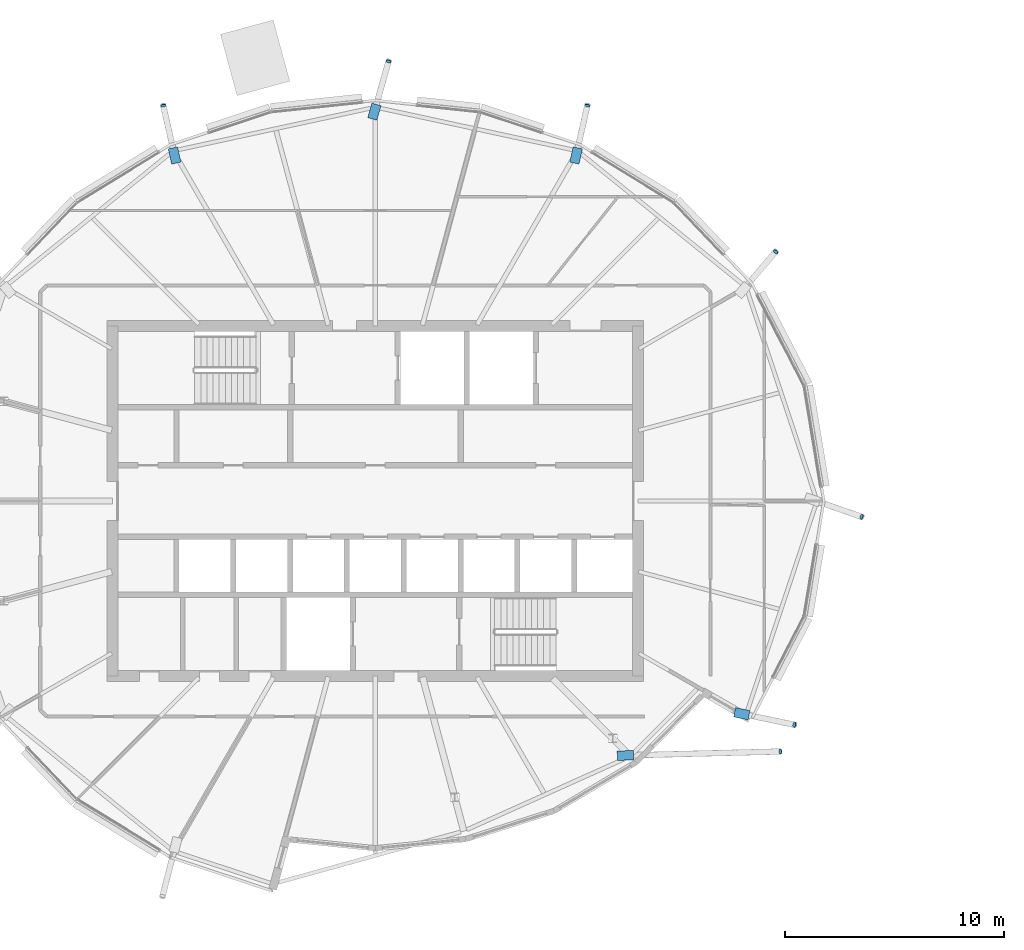
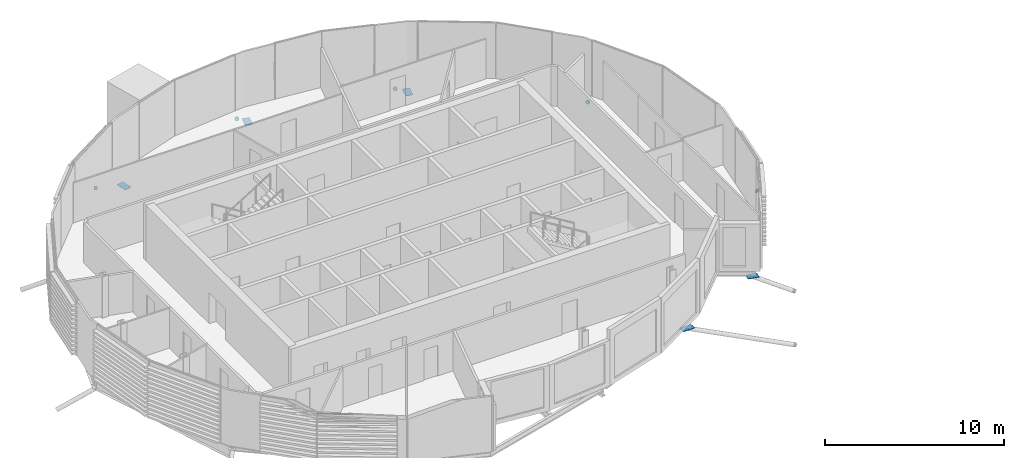
# One storey, part 24 of 33: 12 discrete accessories.
"""IFC4 building model written with IfcOpenShell, lengths in metres."""

from ifc_helpers import new_model, si_unit, direction, frame, origin, origin_2d, place, context, subcontext, project, spatial, polyline, rectangle, circle, outline, extrude, material, material_profile, profile_set, type_object, element, save


model = new_model("IFC4")

# Units and contexts
model_context = context("Model", 3, precision=1e-05, world=origin(), true_north=direction((0.0, 1.0)))
body_context = subcontext(model_context, "Body", "Model", "MODEL_VIEW")
ifc_project = project(units=[si_unit("LENGTHUNIT", "METRE"), si_unit("AREAUNIT", "SQUARE_METRE"), si_unit("VOLUMEUNIT", "CUBIC_METRE"), si_unit("PLANEANGLEUNIT", "RADIAN"), si_unit("MASSUNIT", "GRAM", prefix="KILO")], contexts=[model_context])

# Site, building, storey
site_placement = place(None, origin())
site = spatial("IfcSite", under=ifc_project, at=site_placement, CompositionType="ELEMENT")
building_placement = place(site_placement, origin())
building = spatial("IfcBuilding", under=site, at=building_placement, Name="Rimbun Link Towers", CompositionType="ELEMENT")
storey_placement = place(building_placement, frame((0.0, 0.0, 237.10009765625)))
storey = spatial("IfcBuildingStorey", under=building, at=storey_placement, Name="L58", CompositionType="ELEMENT", Elevation=237.10009765625)

# Discrete accessories
ifc_material_1 = material(Name="Steel S355J2H", Category="steel")
ifc_material_profile_1 = material_profile(ifc_material_1, circle(Radius=0.1240234375, at=origin_2d()), Name="PL D248")
ifc_profile_set_1 = profile_set([ifc_material_profile_1], Name="Steel S355J2H")
discrete_accessory_type_1 = type_object("IfcDiscreteAccessoryType", Name="Link foot sealing plate D248X20", PredefinedType="BRACKET", material=ifc_profile_set_1)
discrete_accessory_1_placement = place(storey_placement, frame((-9.547119140625, -0.720703125, -1.986328125), z_axis=(0.811604925794, -0.295129063925, -0.504178817538), x_axis=(0.341743063087, 0.939793423488, 0.0)))
element("IfcDiscreteAccessory", 1, at=discrete_accessory_1_placement, inside=storey, type_object=discrete_accessory_type_1, Name="Link foot sealing plate T1 L58 00", PredefinedType="BRACKET", context=body_context, shape_type="SweptSolid", body=[
    extrude(circle(Radius=0.1240234375, at=origin_2d()), origin(), (0.0, 0.0, 1.0), 0.019775390625),
])
for number, where, z_axis, x_axis, name in (
    (2, (-13.47607421875, 11.375, -1.890869140625), (0.54691291544, 0.644141878185, -0.534759295097), (-0.762294079169, 0.647230821936, 0.0), "Link foot sealing plate T1 L58 02"),
    (3, (-22.0673828125, 18.05126953125, -2.023193359375), (0.195500292296, 0.843095010527, -0.500969499009), (-0.974152703704, 0.225890482018, 0.0), "Link foot sealing plate T1 L58 04"),
):
    element("IfcDiscreteAccessory", number, at=place(storey_placement, frame(where, z_axis=z_axis, x_axis=x_axis)), inside=storey, type_object=discrete_accessory_type_1, Name=name, PredefinedType="BRACKET", context=body_context, shape_type="SweptSolid", body=[
        extrude(circle(Radius=0.1240234375, at=origin_2d()), origin(), (0.0, 0.0, 1.0), 0.02001953125),
    ])
discrete_accessory_2_placement = place(storey_placement, frame((-31.147216796875, 20.069580078125, -2.11669921875), z_axis=(0.233626178782, 0.823839683072, -0.516436816254), x_axis=(-0.962063932548, 0.272824100275, 0.0)))
element("IfcDiscreteAccessory", 4, at=discrete_accessory_2_placement, inside=storey, type_object=discrete_accessory_type_1, Name="Link foot sealing plate T1 L58 06", PredefinedType="BRACKET", context=body_context, shape_type="SweptSolid", body=[
    extrude(circle(Radius=0.1240234375, at=origin_2d()), origin(), (0.0, 0.0, 1.0), 0.019775390625),
])
for number, where, z_axis, x_axis, name in (
    (5, (-41.4326171875, 18.05126953125, -2.023193359375), (-0.195500292296, 0.843095010527, -0.500969499009), (-0.974152703704, -0.225890482018, 0.0), "Link foot sealing plate T1 L58 08"),
    (6, (-13.2587890625, -11.441650390625, -4.720703125), (0.886755962446, 0.024294683903, -0.46159899415), (-0.027386983732, 0.999624906213, 0.0), "Link foot sealing plate T1 L58 21"),
    (7, (-12.618896484375, -10.219482421875, -2.000244140625), (0.827302034332, -0.170326889421, -0.535313081038), (0.20165292067, 0.979457043257, 0.0), "Link foot sealing plate T1 L58 22"),
):
    element("IfcDiscreteAccessory", number, at=place(storey_placement, frame(where, z_axis=z_axis, x_axis=x_axis)), inside=storey, type_object=discrete_accessory_type_1, Name=name, PredefinedType="BRACKET", context=body_context, shape_type="SweptSolid", body=[
        extrude(circle(Radius=0.1240234375, at=origin_2d()), origin(), (0.0, 0.0, 1.0), 0.02001953125),
    ])
ifc_material_2 = material(Name="Steel S355J2H", Category="steel")
ifc_material_profile_2 = material_profile(ifc_material_2, rectangle(XDim=0.43310546875, YDim=0.43310546875, at=origin_2d()), Name="PL 433x433")
ifc_profile_set_2 = profile_set([ifc_material_profile_2], Name="Steel S355J2H")
discrete_accessory_type_2 = type_object("IfcDiscreteAccessoryType", Name="Link head end plate 433X20", PredefinedType="BRACKET", material=ifc_profile_set_2)
discrete_accessory_3_placement = place(storey_placement, frame((0.0, 0.0, -0.693115234375)))
element("IfcDiscreteAccessory", 8, at=discrete_accessory_3_placement, inside=storey, type_object=discrete_accessory_type_2, Name="Link head end plate T1 L58 04", PredefinedType="BRACKET", context=body_context, shape_type="SweptSolid", body=[
    extrude(outline(polyline([(-22.44921875, 15.38330078125), (-22.292236328125, 16.07666015625), (-22.714599609375, 16.172119140625), (-22.87158203125, 15.47900390625), (-22.44921875, 15.38330078125)])), origin(), (0.0, 0.0, 1.0), 0.02001953125),
])
discrete_accessory_4_placement = place(storey_placement, frame((0.0, 0.0, -0.693115234375)))
element("IfcDiscreteAccessory", 9, at=discrete_accessory_4_placement, inside=storey, type_object=discrete_accessory_type_2, Name="Link head end plate T1 L58 06", PredefinedType="BRACKET", context=body_context, shape_type="SweptSolid", body=[
    extrude(outline(polyline([(-31.6796875, 17.38818359375), (-31.49169921875, 18.0537109375), (-31.908203125, 18.17138671875), (-32.09619140625, 17.505859375), (-31.6796875, 17.38818359375)])), origin(), (0.0, 0.0, 1.0), 0.02001953125),
])
discrete_accessory_5_placement = place(storey_placement, frame((0.0, 0.0, -0.693115234375)))
element("IfcDiscreteAccessory", 10, at=discrete_accessory_5_placement, inside=storey, type_object=discrete_accessory_type_2, Name="Link head end plate T1 L58 08", PredefinedType="BRACKET", context=body_context, shape_type="SweptSolid", body=[
    extrude(outline(polyline([(-40.62841796875, 15.47900390625), (-40.785400390625, 16.172119140625), (-41.207763671875, 16.07666015625), (-41.05078125, 15.38330078125), (-40.62841796875, 15.47900390625)])), origin(), (0.0, 0.0, 1.0), 0.02001953125),
])
discrete_accessory_6_placement = place(storey_placement, frame((0.0, 0.0, -1.000732421875)))
element("IfcDiscreteAccessory", 11, at=discrete_accessory_6_placement, inside=storey, type_object=discrete_accessory_type_2, Name="Link head end plate T1 L58 21", PredefinedType="BRACKET", context=body_context, shape_type="SweptSolid", body=[
    extrude(outline(polyline([(-20.693115234375, -11.848876953125), (-19.947265625, -11.82958984375), (-19.958251953125, -11.39697265625), (-20.704345703125, -11.416015625), (-20.693115234375, -11.848876953125)])), origin(), (0.0, 0.0, 1.0), 0.02001953125),
])
discrete_accessory_7_placement = place(storey_placement, frame((0.0, 0.0, -0.46337890625)))
element("IfcDiscreteAccessory", 12, at=discrete_accessory_7_placement, inside=storey, type_object=discrete_accessory_type_2, Name="Link head end plate T1 L58 22", PredefinedType="BRACKET", context=body_context, shape_type="SweptSolid", body=[
    extrude(outline(polyline([(-15.38671875, -9.860595703125), (-14.727783203125, -9.998779296875), (-14.63916015625, -9.574951171875), (-15.2978515625, -9.436767578125), (-15.38671875, -9.860595703125)])), origin(), (0.0, 0.0, 1.0), 0.019775390625),
])

save(model, "model.ifc")
